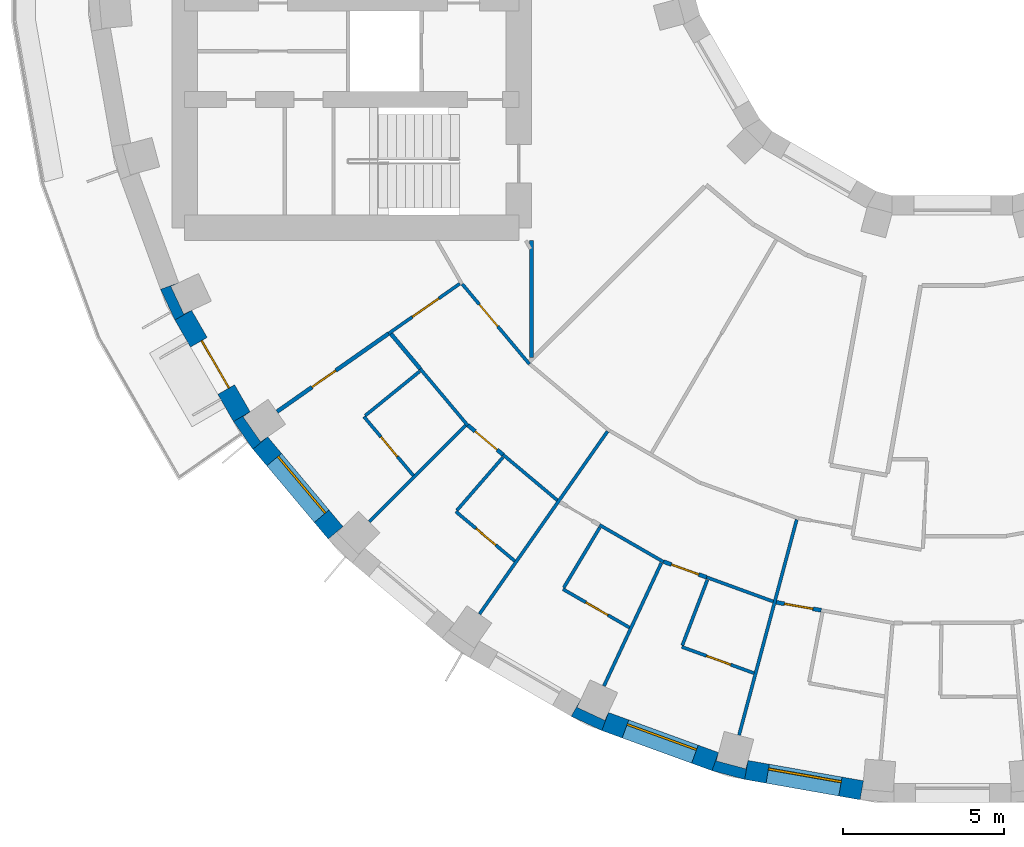
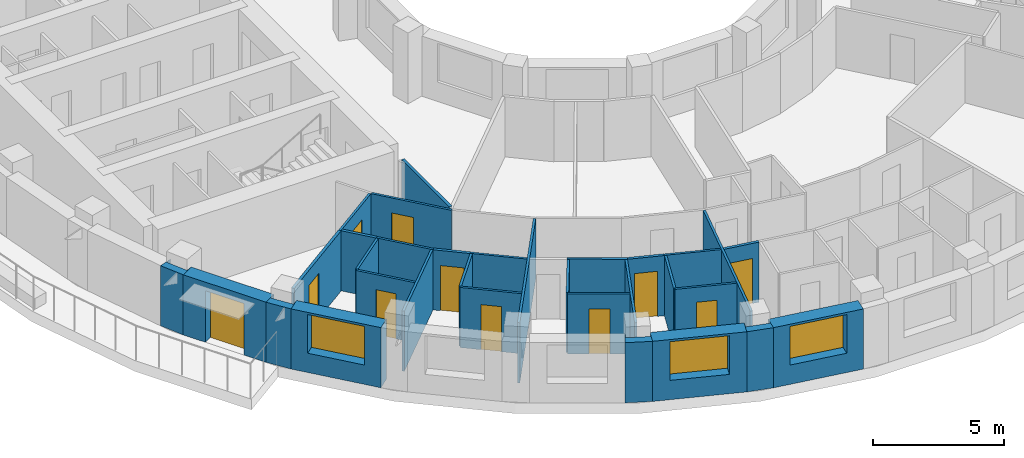
# One storey, part 2 of 13: 32 walls, 11 doors, 3 windows, 14 openings.
"""IFC4 building model written with IfcOpenShell, lengths in metres."""

from ifc_helpers import new_model, si_unit, direction, frame, frame_2d, origin, place, context, subcontext, project, spatial, polyline, rectangle, outline, extrude, material, layer, layer_set, type_object, element, fill, save


model = new_model("IFC4")

# Units and contexts
model_context = context("Model", 3, precision=1e-05, world=origin(), true_north=direction((0.0, 1.0)))
body_context = subcontext(model_context, "Body", "Model", "MODEL_VIEW")
ifc_project = project(units=[si_unit("LENGTHUNIT", "METRE"), si_unit("AREAUNIT", "SQUARE_METRE"), si_unit("VOLUMEUNIT", "CUBIC_METRE"), si_unit("PLANEANGLEUNIT", "RADIAN"), si_unit("MASSUNIT", "GRAM", prefix="KILO")], contexts=[model_context])

# Site, building, storey
site_placement = place(None, origin())
site = spatial("IfcSite", under=ifc_project, at=site_placement, CompositionType="ELEMENT")
building_placement = place(site_placement, origin())
building = spatial("IfcBuilding", under=site, at=building_placement, Name="Saqina Gate Tower", CompositionType="ELEMENT")
storey_placement = place(building_placement, frame((0.0, 0.0, 118.300048828125)))
storey = spatial("IfcBuildingStorey", under=building, at=storey_placement, Name="L33", CompositionType="ELEMENT", Elevation=118.300048828125)

# Walls
ifc_material_1 = material(Name="Brick masonry (buff)", Category="masonry")
wall_type_1 = type_object("IfcWallType", Name="BRICK PIER COPING BUFF", PredefinedType="SOLIDWALL", material=ifc_material_1)
wall_1_placement = place(storey_placement, origin())
element("IfcWall", 1, at=wall_1_placement, inside=storey, type_object=wall_type_1, Name="Pier cap L33 column 21", PredefinedType="SOLIDWALL", context=body_context, shape_type="SweptSolid", body=[
    extrude(outline(polyline([(-24.6513671875, -10.913330078125), (-24.205810546875, -11.869140625), (-23.68603515625, -11.569091796875), (-23.9296875, -11.6826171875), (-24.331298828125, -10.82177734375), (-24.08740234375, -10.7080078125), (-24.6513671875, -10.913330078125)])), origin(), (0.0, 0.0, 1.0), 2.800048828125),
])
wall_2_placement = place(storey_placement, origin())
element("IfcWall", 2, at=wall_2_placement, inside=storey, type_object=wall_type_1, Name="Pier cap L33 column 22", PredefinedType="SOLIDWALL", context=body_context, shape_type="SweptSolid", body=[
    extrude(outline(polyline([(-21.77685546875, -15.89208984375), (-21.317138671875, -15.50634765625), (-21.53759765625, -15.66064453125), (-22.08251953125, -14.88232421875), (-21.862060546875, -14.728271484375), (-22.3818359375, -15.0283203125), (-21.77685546875, -15.89208984375)])), origin(), (0.0, 0.0, 1.0), 2.800048828125),
])
wall_3_placement = place(storey_placement, origin())
element("IfcWall", 3, at=wall_3_placement, inside=storey, type_object=wall_type_1, Name="Pier cap L33 column 25", PredefinedType="SOLIDWALL", context=body_context, shape_type="SweptSolid", body=[
    extrude(outline(polyline([(-10.913330078125, -24.6513671875), (-10.7080078125, -24.08740234375), (-10.82177734375, -24.331298828125), (-11.6826171875, -23.9296875), (-11.569091796875, -23.68603515625), (-11.869140625, -24.205810546875), (-10.913330078125, -24.6513671875)])), origin(), (0.0, 0.0, 1.0), 2.800048828125),
])
wall_4_placement = place(storey_placement, origin())
element("IfcWall", 4, at=wall_4_placement, inside=storey, type_object=wall_type_1, Name="Pier cap L33 column 26", PredefinedType="SOLIDWALL", context=body_context, shape_type="SweptSolid", body=[
    extrude(outline(polyline([(-7.485595703125, -25.89892578125), (-6.466796875, -26.171875), (-6.36279296875, -25.5810546875), (-6.43212890625, -25.8408203125), (-7.349853515625, -25.5947265625), (-7.2802734375, -25.335205078125), (-7.485595703125, -25.89892578125)])), origin(), (0.0, 0.0, 1.0), 2.800048828125),
])

# Wall, opening, door
ifc_material_2 = material(Name="Brick masonry (buff)", Category="masonry")
ifc_layer_1 = layer(ifc_material_2, 0.60009765625)
ifc_layer_set_1 = layer_set([ifc_layer_1], Name="FW-BRICK-BUFF")
wall_type_2 = type_object("IfcWallType", Name="FW-BRICK-BUFF", PredefinedType="SOLIDWALL", material=ifc_layer_set_1)
wall_5_placement = place(storey_placement, frame((-23.94580078125, -11.718994140625, 0.0), z_axis=(0.0, 0.0, 1.0), x_axis=(0.499954196102, -0.866051847062, 0.0)))
wall_5 = element("IfcWall", 5, at=wall_5_placement, inside=storey, type_object=wall_type_2, Name="Facade wall L33 facet 21", PredefinedType="SOLIDWALL", context=body_context, shape_type="SweptSolid", body=[
    extrude(rectangle(XDim=3.647705078125, YDim=0.60009765625, at=frame_2d((1.82373046875, 0.0))), origin(), (0.0, 0.0, 1.0), 2.800048828125),
])
opening_1_placement = place(wall_5_placement, frame((0.973876953125, 0.0, 0.0)))
opening_1 = element("IfcOpeningElement", 6, at=opening_1_placement, cuts=wall_5, Name="Opening G09-D80", PredefinedType="OPENING", context=body_context, shape_type="SweptSolid", body=[
    extrude(rectangle(XDim=1.699951171875, YDim=2.39990234375, at=frame_2d((0.85009765625, 1.199951171875))), frame((0.0, 0.31201171875, 0.0), z_axis=(0.0, -1.0, 0.0), x_axis=(1.0, 0.0, 0.0)), (0.0, 0.0, 1.0), 0.6240234375),
])
ifc_material_3 = material(Name="Aluminium glazing", Category="aluminium")
door_type_1 = type_object("IfcDoorType", Name="GD-B", OperationType="DOUBLE_DOOR_SINGLE_SWING", PredefinedType="DOOR", material=ifc_material_3)
door_1_placement = place(opening_1_placement, frame((1.699951171875, 0.0, 0.0), z_axis=(0.0, 0.0, 1.0), x_axis=(-1.0, 0.0, 0.0)))
door_1 = element("IfcDoor", 7, at=door_1_placement, inside=storey, type_object=door_type_1, Name="Terrace door L33 facet 21", OperationType="DOUBLE_DOOR_SINGLE_SWING", OverallHeight=2.39990234375, OverallWidth=1.699951171875, PredefinedType="DOOR", context=body_context, shape_type="SweptSolid", body=[
    extrude(rectangle(XDim=1.699951171875, YDim=2.39990234375, at=frame_2d((0.85009765625, 1.199951171875))), frame((0.0, -0.0751953125, 0.0), z_axis=(0.0, -1.0, 0.0), x_axis=(1.0, 0.0, 0.0)), (0.0, 0.0, 1.0), 0.050048828125),
])
fill(opening_1, door_1)

# Wall, opening, window
wall_6_placement = place(storey_placement, frame((-21.547119140625, -15.69921875, 0.0), z_axis=(0.0, 0.0, 1.0), x_axis=(0.642774476932, -0.766055462616, 0.0)))
wall_6 = element("IfcWall", 8, at=wall_6_placement, inside=storey, type_object=wall_type_2, Name="Facade wall L33 facet 22", PredefinedType="SOLIDWALL", context=body_context, shape_type="SweptSolid", body=[
    extrude(rectangle(XDim=3.647705078125, YDim=0.60009765625, at=frame_2d((1.82373046875, 0.0))), origin(), (0.0, 0.0, 1.0), 2.800048828125),
])
opening_2_placement = place(wall_6_placement, frame((0.673828125, 0.0, 0.89990234375)))
opening_2 = element("IfcOpeningElement", 9, at=opening_2_placement, cuts=wall_6, Name="Opening G09-W14", PredefinedType="OPENING", context=body_context, shape_type="SweptSolid", body=[
    extrude(rectangle(XDim=2.300048828125, YDim=1.800048828125, at=frame_2d((1.14990234375, 0.89990234375))), frame((0.0, 0.31201171875, 0.0), z_axis=(0.0, -1.0, 0.0), x_axis=(1.0, 0.0, 0.0)), (0.0, 0.0, 1.0), 0.6240234375),
])
ifc_material_4 = material(Name="Aluminium glazing", Category="aluminium")
window_type = type_object("IfcWindowType", Name="WN-B", PartitioningType="SINGLE_PANEL", PredefinedType="WINDOW", material=ifc_material_4)
window_1_placement = place(opening_2_placement, origin())
window_1 = element("IfcWindow", 10, at=window_1_placement, inside=storey, type_object=window_type, Name="Window L33 facet 22", OverallHeight=1.800048828125, OverallWidth=2.300048828125, PartitioningType="SINGLE_PANEL", PredefinedType="WINDOW", context=body_context, shape_type="SweptSolid", body=[
    extrude(rectangle(XDim=2.300048828125, YDim=1.800048828125, at=frame_2d((1.14990234375, 0.89990234375))), frame((0.0, 0.179931640625, 0.0), z_axis=(0.0, -1.0, 0.0), x_axis=(1.0, 0.0, 0.0)), (0.0, 0.0, 1.0), 0.06005859375),
])
fill(opening_2, window_1)

wall_7_placement = place(storey_placement, frame((-10.810791015625, -24.369384765625, 0.0), z_axis=(0.0, 0.0, 1.0), x_axis=(0.939703505393, -0.341990236633, 0.0)))
wall_7 = element("IfcWall", 11, at=wall_7_placement, inside=storey, type_object=wall_type_2, Name="Facade wall L33 facet 25", PredefinedType="SOLIDWALL", context=body_context, shape_type="SweptSolid", body=[
    extrude(rectangle(XDim=3.64794921875, YDim=0.60009765625, at=frame_2d((1.823974609375, 0.0))), origin(), (0.0, 0.0, 1.0), 2.800048828125),
])
opening_3_placement = place(wall_7_placement, frame((0.673828125, 0.0, 0.89990234375)))
opening_3 = element("IfcOpeningElement", 12, at=opening_3_placement, cuts=wall_7, Name="Opening G09-W17", PredefinedType="OPENING", context=body_context, shape_type="SweptSolid", body=[
    extrude(rectangle(XDim=2.300048828125, YDim=1.800048828125, at=frame_2d((1.14990234375, 0.89990234375))), frame((0.0, 0.31201171875, 0.0), z_axis=(0.0, -1.0, 0.0), x_axis=(1.0, 0.0, 0.0)), (0.0, 0.0, 1.0), 0.6240234375),
])
window_2_placement = place(opening_3_placement, origin())
window_2 = element("IfcWindow", 13, at=window_2_placement, inside=storey, type_object=window_type, Name="Window L33 facet 25", OverallHeight=1.800048828125, OverallWidth=2.300048828125, PartitioningType="SINGLE_PANEL", PredefinedType="WINDOW", context=body_context, shape_type="SweptSolid", body=[
    extrude(rectangle(XDim=2.300048828125, YDim=1.800048828125, at=frame_2d((1.14990234375, 0.89990234375))), frame((0.0, 0.179931640625, 0.0), z_axis=(0.0, -1.0, 0.0), x_axis=(1.0, 0.0, 0.0)), (0.0, 0.0, 1.0), 0.06005859375),
])
fill(opening_3, window_2)

wall_8_placement = place(storey_placement, frame((-6.414794921875, -25.87646484375, 0.0), z_axis=(0.0, 0.0, 1.0), x_axis=(0.984803764455, -0.173670796382, 0.0)))
wall_8 = element("IfcWall", 14, at=wall_8_placement, inside=storey, type_object=wall_type_2, Name="Facade wall L33 facet 26", PredefinedType="SOLIDWALL", context=body_context, shape_type="SweptSolid", body=[
    extrude(rectangle(XDim=3.64794921875, YDim=0.60009765625, at=frame_2d((1.823974609375, 0.0))), origin(), (0.0, 0.0, 1.0), 2.800048828125),
])
opening_4_placement = place(wall_8_placement, frame((0.673828125, 0.0, 0.89990234375)))
opening_4 = element("IfcOpeningElement", 15, at=opening_4_placement, cuts=wall_8, Name="Opening G09-W18", PredefinedType="OPENING", context=body_context, shape_type="SweptSolid", body=[
    extrude(rectangle(XDim=2.300048828125, YDim=1.800048828125, at=frame_2d((1.14990234375, 0.89990234375))), frame((0.0, 0.31201171875, 0.0), z_axis=(0.0, -1.0, 0.0), x_axis=(1.0, 0.0, 0.0)), (0.0, 0.0, 1.0), 0.6240234375),
])
window_3_placement = place(opening_4_placement, origin())
window_3 = element("IfcWindow", 16, at=window_3_placement, inside=storey, type_object=window_type, Name="Window L33 facet 26", OverallHeight=1.800048828125, OverallWidth=2.300048828125, PartitioningType="SINGLE_PANEL", PredefinedType="WINDOW", context=body_context, shape_type="SweptSolid", body=[
    extrude(rectangle(XDim=2.300048828125, YDim=1.800048828125, at=frame_2d((1.14990234375, 0.89990234375))), frame((0.0, 0.179931640625, 0.0), z_axis=(0.0, -1.0, 0.0), x_axis=(1.0, 0.0, 0.0)), (0.0, 0.0, 1.0), 0.06005859375),
])
fill(opening_4, window_3)

# Wall, opening, door
ifc_material_5 = material(Name="Gypsum board on steel studs, 100 mm", Category="steel")
ifc_layer_2 = layer(ifc_material_5, 0.10009765625)
ifc_layer_set_2 = layer_set([ifc_layer_2], Name="PARTITION 100")
wall_type_3 = type_object("IfcWallType", Name="PARTITION 100", PredefinedType="PARTITIONING", material=ifc_layer_set_2)
wall_9_placement = place(storey_placement, frame((-18.320068359375, -14.8779296875, 0.0), z_axis=(0.0, 0.0, 1.0), x_axis=(0.642579420328, -0.766219086535, 0.0)))
wall_9 = element("IfcWall", 17, at=wall_9_placement, inside=storey, type_object=wall_type_3, Name="PARTITION PW3-19", PredefinedType="PARTITIONING", context=body_context, shape_type="SweptSolid", body=[
    extrude(rectangle(XDim=2.393310546875, YDim=0.10009765625, at=frame_2d((1.19677734375, 0.0))), origin(), (0.0, 0.0, 1.0), 2.800048828125),
])
opening_5_placement = place(wall_9_placement, frame((0.821533203125, 0.0, 0.0)))
opening_5 = element("IfcOpeningElement", 18, at=opening_5_placement, cuts=wall_9, Name="Opening G09-D32", PredefinedType="OPENING", context=body_context, shape_type="SweptSolid", body=[
    extrude(rectangle(XDim=0.800048828125, YDim=2.10009765625, at=frame_2d((0.39990234375, 1.050048828125))), frame((0.0, 0.06201171875, 0.0), z_axis=(0.0, -1.0, 0.0), x_axis=(1.0, 0.0, 0.0)), (0.0, 0.0, 1.0), 0.1240234375),
])
ifc_material_6 = material(Name="Timber door leaf, 800 mm", Category="wood")
door_type_2 = type_object("IfcDoorType", Name="DOOR 800 TIMBER", OperationType="SINGLE_SWING_LEFT", PredefinedType="DOOR", material=ifc_material_6)
door_2_placement = place(opening_5_placement, frame((0.800048828125, 0.0, 0.0), z_axis=(0.0, 0.0, 1.0), x_axis=(-1.0, 0.0, 0.0)))
door_2 = element("IfcDoor", 19, at=door_2_placement, inside=storey, type_object=door_type_2, Name="DOOR G09-D32", OperationType="SINGLE_SWING_LEFT", OverallHeight=2.10009765625, OverallWidth=0.800048828125, PredefinedType="DOOR", context=body_context, shape_type="SweptSolid", body=[
    extrude(rectangle(XDim=0.800048828125, YDim=2.10009765625, at=frame_2d((0.39990234375, 1.050048828125))), frame((0.0, 0.02490234375, 0.0), z_axis=(0.0, -1.0, 0.0), x_axis=(1.0, 0.0, 0.0)), (0.0, 0.0, 1.0), 0.050048828125),
])
fill(opening_5, door_2)

# Wall
wall_10_placement = place(storey_placement, frame((-16.566162109375, -13.3896484375, 0.0), z_axis=(0.0, 0.0, 1.0), x_axis=(0.642674527844, -0.76613931583, 0.0)))
element("IfcWall", 20, at=wall_10_placement, inside=storey, type_object=wall_type_3, Name="PARTITION PW3-20", PredefinedType="PARTITIONING", context=body_context, shape_type="SweptSolid", body=[
    extrude(rectangle(XDim=2.3017578125, YDim=0.10009765625, at=frame_2d((1.15087890625, 0.0))), origin(), (0.0, 0.0, 1.0), 2.800048828125),
])

# Wall, opening, door
wall_11_placement = place(storey_placement, frame((-15.261962890625, -10.747314453125, 0.0), z_axis=(0.0, 0.0, 1.0), x_axis=(0.642806814248, -0.766028328168, 0.0)))
wall_11 = element("IfcWall", 21, at=wall_11_placement, inside=storey, type_object=wall_type_3, Name="PARTITION PW3-21", PredefinedType="PARTITIONING", context=body_context, shape_type="SweptSolid", body=[
    extrude(rectangle(XDim=3.25537109375, YDim=0.10009765625, at=frame_2d((1.627685546875, 0.0))), origin(), (0.0, 0.0, 1.0), 2.800048828125),
])
opening_6_placement = place(wall_11_placement, frame((0.8271484375, 0.0, 0.0)))
opening_6 = element("IfcOpeningElement", 22, at=opening_6_placement, cuts=wall_11, Name="Opening G09-D31", PredefinedType="OPENING", context=body_context, shape_type="SweptSolid", body=[
    extrude(rectangle(XDim=0.89990234375, YDim=2.10009765625, at=frame_2d((0.449951171875, 1.050048828125))), frame((0.0, 0.06201171875, 0.0), z_axis=(0.0, -1.0, 0.0), x_axis=(1.0, 0.0, 0.0)), (0.0, 0.0, 1.0), 0.1240234375),
])
ifc_material_7 = material(Name="Timber door leaf, 900 mm", Category="wood")
door_type_3 = type_object("IfcDoorType", Name="DOOR 900 TIMBER", OperationType="SINGLE_SWING_LEFT", PredefinedType="DOOR", material=ifc_material_7)
door_3_placement = place(opening_6_placement, origin())
door_3 = element("IfcDoor", 23, at=door_3_placement, inside=storey, type_object=door_type_3, Name="DOOR G09-D31", OperationType="SINGLE_SWING_RIGHT", OverallHeight=2.10009765625, OverallWidth=0.89990234375, PredefinedType="DOOR", context=body_context, shape_type="SweptSolid", body=[
    extrude(rectangle(XDim=0.89990234375, YDim=2.10009765625, at=frame_2d((0.449951171875, 1.050048828125))), frame((0.0, 0.02490234375, 0.0), z_axis=(0.0, -1.0, 0.0), x_axis=(1.0, 0.0, 0.0)), (0.0, 0.0, 1.0), 0.050048828125),
])
fill(opening_6, door_3)

wall_12_placement = place(storey_placement, frame((-15.4580078125, -17.8330078125, 0.0), z_axis=(0.0, 0.0, 1.0), x_axis=(0.765849546445, -0.643019807012, 0.0)))
wall_12 = element("IfcWall", 24, at=wall_12_placement, inside=storey, type_object=wall_type_3, Name="PARTITION PW3-24", PredefinedType="PARTITIONING", context=body_context, shape_type="SweptSolid", body=[
    extrude(rectangle(XDim=2.39306640625, YDim=0.10009765625, at=frame_2d((1.196533203125, 0.0))), origin(), (0.0, 0.0, 1.0), 2.800048828125),
])
opening_7_placement = place(wall_12_placement, frame((0.821533203125, 0.0, 0.0)))
opening_7 = element("IfcOpeningElement", 25, at=opening_7_placement, cuts=wall_12, Name="Opening G09-D34", PredefinedType="OPENING", context=body_context, shape_type="SweptSolid", body=[
    extrude(rectangle(XDim=0.800048828125, YDim=2.10009765625, at=frame_2d((0.39990234375, 1.050048828125))), frame((0.0, 0.06201171875, 0.0), z_axis=(0.0, -1.0, 0.0), x_axis=(1.0, 0.0, 0.0)), (0.0, 0.0, 1.0), 0.1240234375),
])
door_4_placement = place(opening_7_placement, frame((0.800048828125, 0.0, 0.0), z_axis=(0.0, 0.0, 1.0), x_axis=(-1.0, 0.0, 0.0)))
door_4 = element("IfcDoor", 26, at=door_4_placement, inside=storey, type_object=door_type_2, Name="DOOR G09-D34", OperationType="SINGLE_SWING_LEFT", OverallHeight=2.10009765625, OverallWidth=0.800048828125, PredefinedType="DOOR", context=body_context, shape_type="SweptSolid", body=[
    extrude(rectangle(XDim=0.800048828125, YDim=2.10009765625, at=frame_2d((0.39990234375, 1.050048828125))), frame((0.0, 0.02490234375, 0.0), z_axis=(0.0, -1.0, 0.0), x_axis=(1.0, 0.0, 0.0)), (0.0, 0.0, 1.0), 0.050048828125),
])
fill(opening_7, door_4)

# Wall
wall_13_placement = place(storey_placement, frame((-13.9892578125, -16.062744140625, 0.0), z_axis=(0.0, 0.0, 1.0), x_axis=(0.766038513467, -0.642794676305, 0.0)))
element("IfcWall", 27, at=wall_13_placement, inside=storey, type_object=wall_type_3, Name="PARTITION PW3-25", PredefinedType="PARTITIONING", context=body_context, shape_type="SweptSolid", body=[
    extrude(rectangle(XDim=2.204833984375, YDim=0.10009765625, at=frame_2d((1.1025390625, 0.0))), origin(), (0.0, 0.0, 1.0), 2.800048828125),
])

# Wall, opening, door
wall_14_placement = place(storey_placement, frame((-12.1259765625, -20.2470703125, 0.0), z_axis=(0.0, 0.0, 1.0), x_axis=(0.866042831623, -0.499969812883, 0.0)))
wall_14 = element("IfcWall", 28, at=wall_14_placement, inside=storey, type_object=wall_type_3, Name="PARTITION PW3-31", PredefinedType="PARTITIONING", context=body_context, shape_type="SweptSolid", body=[
    extrude(rectangle(XDim=2.392333984375, YDim=0.10009765625, at=frame_2d((1.1962890625, 0.0))), origin(), (0.0, 0.0, 1.0), 2.800048828125),
])
opening_8_placement = place(wall_14_placement, frame((0.821044921875, 0.0, 0.0)))
opening_8 = element("IfcOpeningElement", 29, at=opening_8_placement, cuts=wall_14, Name="Opening G09-D37", PredefinedType="OPENING", context=body_context, shape_type="SweptSolid", body=[
    extrude(rectangle(XDim=0.800048828125, YDim=2.10009765625, at=frame_2d((0.39990234375, 1.050048828125))), frame((0.0, 0.06201171875, 0.0), z_axis=(0.0, -1.0, 0.0), x_axis=(1.0, 0.0, 0.0)), (0.0, 0.0, 1.0), 0.1240234375),
])
door_5_placement = place(opening_8_placement, frame((0.800048828125, 0.0, 0.0), z_axis=(0.0, 0.0, 1.0), x_axis=(-1.0, 0.0, 0.0)))
door_5 = element("IfcDoor", 30, at=door_5_placement, inside=storey, type_object=door_type_2, Name="DOOR G09-D37", OperationType="SINGLE_SWING_LEFT", OverallHeight=2.10009765625, OverallWidth=0.800048828125, PredefinedType="DOOR", context=body_context, shape_type="SweptSolid", body=[
    extrude(rectangle(XDim=0.800048828125, YDim=2.10009765625, at=frame_2d((0.39990234375, 1.050048828125))), frame((0.0, 0.02490234375, 0.0), z_axis=(0.0, -1.0, 0.0), x_axis=(1.0, 0.0, 0.0)), (0.0, 0.0, 1.0), 0.050048828125),
])
fill(opening_8, door_5)

# Walls
wall_15_placement = place(storey_placement, frame((-10.9873046875, -18.248046875, 0.0), z_axis=(0.0, 0.0, 1.0), x_axis=(0.865887497708, -0.500238784294, 0.0)))
element("IfcWall", 31, at=wall_15_placement, inside=storey, type_object=wall_type_3, Name="PARTITION PW3-32", PredefinedType="PARTITIONING", context=body_context, shape_type="SweptSolid", body=[
    extrude(rectangle(XDim=2.305419921875, YDim=0.10009765625, at=frame_2d((1.15283203125, 0.0))), origin(), (0.0, 0.0, 1.0), 2.800048828125),
])
wall_16_placement = place(storey_placement, frame((-7.6513671875, -19.877197265625, 0.0), z_axis=(0.0, 0.0, 1.0), x_axis=(0.939404870565, -0.342809698169, 0.0)))
element("IfcWall", 32, at=wall_16_placement, inside=storey, type_object=wall_type_3, Name="PARTITION PW3-38", PredefinedType="PARTITIONING", context=body_context, shape_type="SweptSolid", body=[
    extrude(rectangle(XDim=2.204833984375, YDim=0.10009765625, at=frame_2d((1.1025390625, 0.0))), origin(), (0.0, 0.0, 1.0), 2.800048828125),
])

# Wall, opening, door
wall_17_placement = place(storey_placement, frame((-8.426025390625, -22.044921875, 0.0), z_axis=(0.0, 0.0, 1.0), x_axis=(0.93973977618, -0.341890557146, 0.0)))
wall_17 = element("IfcWall", 33, at=wall_17_placement, inside=storey, type_object=wall_type_3, Name="PARTITION PW3-39", PredefinedType="PARTITIONING", context=body_context, shape_type="SweptSolid", body=[
    extrude(rectangle(XDim=2.39208984375, YDim=0.10009765625, at=frame_2d((1.196044921875, 0.0))), origin(), (0.0, 0.0, 1.0), 2.800048828125),
])
opening_9_placement = place(wall_17_placement, frame((0.821044921875, 0.0, 0.0)))
opening_9 = element("IfcOpeningElement", 34, at=opening_9_placement, cuts=wall_17, Name="Opening G09-D40", PredefinedType="OPENING", context=body_context, shape_type="SweptSolid", body=[
    extrude(rectangle(XDim=0.800048828125, YDim=2.10009765625, at=frame_2d((0.39990234375, 1.050048828125))), frame((0.0, 0.06201171875, 0.0), z_axis=(0.0, -1.0, 0.0), x_axis=(1.0, 0.0, 0.0)), (0.0, 0.0, 1.0), 0.1240234375),
])
door_6_placement = place(opening_9_placement, frame((0.800048828125, 0.0, 0.0), z_axis=(0.0, 0.0, 1.0), x_axis=(-1.0, 0.0, 0.0)))
door_6 = element("IfcDoor", 35, at=door_6_placement, inside=storey, type_object=door_type_2, Name="DOOR G09-D40", OperationType="SINGLE_SWING_LEFT", OverallHeight=2.10009765625, OverallWidth=0.800048828125, PredefinedType="DOOR", context=body_context, shape_type="SweptSolid", body=[
    extrude(rectangle(XDim=0.800048828125, YDim=2.10009765625, at=frame_2d((0.39990234375, 1.050048828125))), frame((0.0, 0.02490234375, 0.0), z_axis=(0.0, -1.0, 0.0), x_axis=(1.0, 0.0, 0.0)), (0.0, 0.0, 1.0), 0.050048828125),
])
fill(opening_9, door_6)

wall_18_placement = place(storey_placement, frame((-17.552978515625, -12.290771484375, 0.0), z_axis=(0.0, 0.0, 1.0), x_axis=(0.819126011037, 0.573613613893, 0.0)))
wall_18 = element("IfcWall", 36, at=wall_18_placement, inside=storey, type_object=wall_type_3, Name="PARTITION PW3-72", PredefinedType="PARTITIONING", context=body_context, shape_type="SweptSolid", body=[
    extrude(rectangle(XDim=2.707763671875, YDim=0.10009765625, at=frame_2d((1.35400390625, 0.0))), origin(), (0.0, 0.0, 1.0), 2.800048828125),
])
opening_10_placement = place(wall_18_placement, frame((0.90380859375, 0.0, 0.0)))
opening_10 = element("IfcOpeningElement", 37, at=opening_10_placement, cuts=wall_18, Name="Opening G09-D29", PredefinedType="OPENING", context=body_context, shape_type="SweptSolid", body=[
    extrude(rectangle(XDim=1.0, YDim=2.10009765625, at=frame_2d((0.5, 1.050048828125))), frame((0.0, 0.06201171875, 0.0), z_axis=(0.0, -1.0, 0.0), x_axis=(1.0, 0.0, 0.0)), (0.0, 0.0, 1.0), 0.1240234375),
])
ifc_material_8 = material(Name="Timber door leaf, 1000 mm", Category="wood")
door_type_4 = type_object("IfcDoorType", Name="DOOR 1000 TIMBER", OperationType="SINGLE_SWING_LEFT", PredefinedType="DOOR", material=ifc_material_8)
door_7_placement = place(opening_10_placement, origin())
door_7 = element("IfcDoor", 38, at=door_7_placement, inside=storey, type_object=door_type_4, Name="DOOR G09-D29", OperationType="SINGLE_SWING_RIGHT", OverallHeight=2.10009765625, OverallWidth=1.0, PredefinedType="DOOR", context=body_context, shape_type="SweptSolid", body=[
    extrude(rectangle(XDim=1.0, YDim=2.10009765625, at=frame_2d((0.5, 1.050048828125))), frame((0.0, 0.02490234375, 0.0), z_axis=(0.0, -1.0, 0.0), x_axis=(1.0, 0.0, 0.0)), (0.0, 0.0, 1.0), 0.050048828125),
])
fill(opening_10, door_7)

# Walls
wall_19_placement = place(storey_placement, frame((-18.28125, -14.846435546875, 0.0), z_axis=(0.0, 0.0, 1.0), x_axis=(0.77635285049, 0.630298541595, 0.0)))
element("IfcWall", 39, at=wall_19_placement, inside=storey, type_object=wall_type_3, Name="PARTITION PW3-73", PredefinedType="PARTITIONING", context=body_context, shape_type="SweptSolid", body=[
    extrude(rectangle(XDim=2.18798828125, YDim=0.10009765625, at=frame_2d((1.093994140625, 0.0))), origin(), (0.0, 0.0, 1.0), 2.800048828125),
])
wall_20_placement = place(storey_placement, frame((-18.14794921875, -18.14794921875, 0.0), z_axis=(0.0, 0.0, 1.0), x_axis=(0.707106781187, 0.707106781187, 0.0)))
element("IfcWall", 40, at=wall_20_placement, inside=storey, type_object=wall_type_3, Name="PARTITION PW3-77", PredefinedType="PARTITIONING", context=body_context, shape_type="SweptSolid", body=[
    extrude(rectangle(XDim=4.236328125, YDim=0.10009765625, at=frame_2d((2.1181640625, 0.0))), origin(), (0.0, 0.0, 1.0), 2.800048828125),
])
wall_21_placement = place(storey_placement, frame((-15.42529296875, -17.795166015625, 0.0), z_axis=(0.0, 0.0, 1.0), x_axis=(0.65516417325, 0.755486536008, 0.0)))
element("IfcWall", 41, at=wall_21_placement, inside=storey, type_object=wall_type_3, Name="PARTITION PW3-79", PredefinedType="PARTITIONING", context=body_context, shape_type="SweptSolid", body=[
    extrude(rectangle(XDim=2.187744140625, YDim=0.10009765625, at=frame_2d((1.09375, 0.0))), origin(), (0.0, 0.0, 1.0), 2.800048828125),
])
wall_22_placement = place(storey_placement, frame((-14.721923828125, -21.02294921875, 0.0), z_axis=(0.0, 0.0, 1.0), x_axis=(0.573811489918, 0.818987407741, 0.0)))
element("IfcWall", 42, at=wall_22_placement, inside=storey, type_object=wall_type_3, Name="PARTITION PW3-83", PredefinedType="PARTITIONING", context=body_context, shape_type="SweptSolid", body=[
    extrude(rectangle(XDim=6.944580078125, YDim=0.10009765625, at=frame_2d((3.47216796875, 0.0))), origin(), (0.0, 0.0, 1.0), 2.800048828125),
])
wall_23_placement = place(storey_placement, frame((-12.100341796875, -20.2041015625, 0.0), z_axis=(0.0, 0.0, 1.0), x_axis=(0.513757266297, 0.857935586933, 0.0)))
element("IfcWall", 43, at=wall_23_placement, inside=storey, type_object=wall_type_3, Name="PARTITION PW3-85", PredefinedType="PARTITIONING", context=body_context, shape_type="SweptSolid", body=[
    extrude(rectangle(XDim=2.188232421875, YDim=0.10009765625, at=frame_2d((1.09423828125, 0.0))), origin(), (0.0, 0.0, 1.0), 2.800048828125),
])
wall_24_placement = place(storey_placement, frame((-10.847412109375, -23.260009765625, 0.0), z_axis=(0.0, 0.0, 1.0), x_axis=(0.422841161976, 0.906203813575, 0.0)))
element("IfcWall", 44, at=wall_24_placement, inside=storey, type_object=wall_type_3, Name="PARTITION PW3-93", PredefinedType="PARTITIONING", context=body_context, shape_type="SweptSolid", body=[
    extrude(rectangle(XDim=4.2236328125, YDim=0.10009765625, at=frame_2d((2.11181640625, 0.0))), origin(), (0.0, 0.0, 1.0), 2.800048828125),
])
wall_25_placement = place(storey_placement, frame((-8.408203125, -21.998291015625, 0.0), z_axis=(0.0, 0.0, 1.0), x_axis=(0.356937039246, 0.934128444067, 0.0)))
element("IfcWall", 45, at=wall_25_placement, inside=storey, type_object=wall_type_3, Name="PARTITION PW3-96", PredefinedType="PARTITIONING", context=body_context, shape_type="SweptSolid", body=[
    extrude(rectangle(XDim=2.18798828125, YDim=0.10009765625, at=frame_2d((1.093994140625, 0.0))), origin(), (0.0, 0.0, 1.0), 2.800048828125),
])
wall_26_placement = place(storey_placement, frame((-6.641845703125, -24.790771484375, 0.0), z_axis=(0.0, 0.0, 1.0), x_axis=(0.258515851323, 0.966007015821, 0.0)))
element("IfcWall", 46, at=wall_26_placement, inside=storey, type_object=wall_type_3, Name="PARTITION PW3-98", PredefinedType="PARTITIONING", context=body_context, shape_type="SweptSolid", body=[
    extrude(rectangle(XDim=6.945068359375, YDim=0.10009765625, at=frame_2d((3.47265625, 0.0))), origin(), (0.0, 0.0, 1.0), 2.800048828125),
])
ifc_material_9 = material(Name="Gypsum board on steel studs, 125 mm, fire rated", Category="steel")
ifc_layer_3 = layer(ifc_material_9, 0.125)
ifc_layer_set_3 = layer_set([ifc_layer_3], Name="PARTITION EI 30 125")
wall_type_4 = type_object("IfcWallType", Name="PARTITION EI 30 125", PredefinedType="PARTITIONING", material=ifc_layer_set_3)
wall_27_placement = place(storey_placement, frame((-17.479736328125, -12.30029296875, 0.0), z_axis=(0.0, 0.0, 1.0), x_axis=(0.642579742467, -0.766218816378, 0.0)))
element("IfcWall", 47, at=wall_27_placement, inside=storey, type_object=wall_type_4, Name="PARTITION PW1-03", PredefinedType="PARTITIONING", context=body_context, shape_type="SweptSolid", body=[
    extrude(rectangle(XDim=1.421630859375, YDim=0.125, at=frame_2d((0.7109375, 0.0))), origin(), (0.0, 0.0, 1.0), 2.800048828125),
])

# Wall, opening, door
wall_28_placement = place(storey_placement, frame((-15.08154296875, -15.146728515625, 0.0), z_axis=(0.0, 0.0, 1.0), x_axis=(0.766139864475, -0.642673873798, 0.0)))
wall_28 = element("IfcWall", 48, at=wall_28_placement, inside=storey, type_object=wall_type_4, Name="PARTITION PW1-08", PredefinedType="PARTITIONING", context=body_context, shape_type="SweptSolid", body=[
    extrude(rectangle(XDim=1.42578125, YDim=0.125, at=frame_2d((0.712890625, 0.0))), origin(), (0.0, 0.0, 1.0), 2.800048828125),
])
opening_11_placement = place(wall_28_placement, frame((0.28759765625, 0.0, 0.0)))
opening_11 = element("IfcOpeningElement", 49, at=opening_11_placement, cuts=wall_28, Name="Opening G09-D33", PredefinedType="OPENING", context=body_context, shape_type="SweptSolid", body=[
    extrude(rectangle(XDim=0.89990234375, YDim=2.10009765625, at=frame_2d((0.449951171875, 1.050048828125))), frame((0.0, 0.074462890625, 0.0), z_axis=(0.0, -1.0, 0.0), x_axis=(1.0, 0.0, 0.0)), (0.0, 0.0, 1.0), 0.14892578125),
])
ifc_material_10 = material(Name="Fire door leaf EI 30, 900 mm")
door_type_5 = type_object("IfcDoorType", Name="DOOR 900 EI 30", OperationType="SINGLE_SWING_LEFT", PredefinedType="DOOR", material=ifc_material_10)
door_8_placement = place(opening_11_placement, origin())
door_8 = element("IfcDoor", 50, at=door_8_placement, inside=storey, type_object=door_type_5, Name="DOOR G09-D33", OperationType="SINGLE_SWING_LEFT", OverallHeight=2.10009765625, OverallWidth=0.89990234375, PredefinedType="DOOR", context=body_context, shape_type="SweptSolid", body=[
    extrude(rectangle(XDim=0.89990234375, YDim=2.10009765625, at=frame_2d((0.449951171875, 1.050048828125))), frame((0.0, 0.02490234375, 0.0), z_axis=(0.0, -1.0, 0.0), x_axis=(1.0, 0.0, 0.0)), (0.0, 0.0, 1.0), 0.050048828125),
])
fill(opening_11, door_8)

wall_29_placement = place(storey_placement, frame((-8.988037109375, -19.39306640625, 0.0), z_axis=(0.0, 0.0, 1.0), x_axis=(0.939783394235, -0.341770642275, 0.0)))
wall_29 = element("IfcWall", 51, at=wall_29_placement, inside=storey, type_object=wall_type_4, Name="PARTITION PW1-15", PredefinedType="PARTITIONING", context=body_context, shape_type="SweptSolid", body=[
    extrude(rectangle(XDim=1.421630859375, YDim=0.125, at=frame_2d((0.7109375, 0.0))), origin(), (0.0, 0.0, 1.0), 2.800048828125),
])
opening_12_placement = place(wall_29_placement, frame((0.2607421875, 0.0, 0.0)))
opening_12 = element("IfcOpeningElement", 52, at=opening_12_placement, cuts=wall_29, Name="Opening G09-D38", PredefinedType="OPENING", context=body_context, shape_type="SweptSolid", body=[
    extrude(rectangle(XDim=0.89990234375, YDim=2.10009765625, at=frame_2d((0.449951171875, 1.050048828125))), frame((0.0, 0.074462890625, 0.0), z_axis=(0.0, -1.0, 0.0), x_axis=(1.0, 0.0, 0.0)), (0.0, 0.0, 1.0), 0.14892578125),
])
door_9_placement = place(opening_12_placement, origin())
door_9 = element("IfcDoor", 53, at=door_9_placement, inside=storey, type_object=door_type_5, Name="DOOR G09-D38", OperationType="SINGLE_SWING_LEFT", OverallHeight=2.10009765625, OverallWidth=0.89990234375, PredefinedType="DOOR", context=body_context, shape_type="SweptSolid", body=[
    extrude(rectangle(XDim=0.89990234375, YDim=2.10009765625, at=frame_2d((0.449951171875, 1.050048828125))), frame((0.0, 0.02490234375, 0.0), z_axis=(0.0, -1.0, 0.0), x_axis=(1.0, 0.0, 0.0)), (0.0, 0.0, 1.0), 0.050048828125),
])
fill(opening_12, door_9)

wall_30_placement = place(storey_placement, frame((-5.483642578125, -20.65869140625, 0.0), z_axis=(0.0, 0.0, 1.0), x_axis=(0.984828496868, -0.173530492295, 0.0)))
wall_30 = element("IfcWall", 54, at=wall_30_placement, inside=storey, type_object=wall_type_4, Name="PARTITION PW1-19", PredefinedType="PARTITIONING", context=body_context, shape_type="SweptSolid", body=[
    extrude(rectangle(XDim=1.4208984375, YDim=0.125, at=frame_2d((0.71044921875, 0.0))), origin(), (0.0, 0.0, 1.0), 2.800048828125),
])
opening_13_placement = place(wall_30_placement, frame((0.260498046875, 0.0, 0.0)))
opening_13 = element("IfcOpeningElement", 55, at=opening_13_placement, cuts=wall_30, Name="Opening G09-D41", PredefinedType="OPENING", context=body_context, shape_type="SweptSolid", body=[
    extrude(rectangle(XDim=0.89990234375, YDim=2.10009765625, at=frame_2d((0.449951171875, 1.050048828125))), frame((0.0, 0.074462890625, 0.0), z_axis=(0.0, -1.0, 0.0), x_axis=(1.0, 0.0, 0.0)), (0.0, 0.0, 1.0), 0.14892578125),
])
door_10_placement = place(opening_13_placement, origin())
door_10 = element("IfcDoor", 56, at=door_10_placement, inside=storey, type_object=door_type_5, Name="DOOR G09-D41", OperationType="SINGLE_SWING_LEFT", OverallHeight=2.10009765625, OverallWidth=0.89990234375, PredefinedType="DOOR", context=body_context, shape_type="SweptSolid", body=[
    extrude(rectangle(XDim=0.89990234375, YDim=2.10009765625, at=frame_2d((0.449951171875, 1.050048828125))), frame((0.0, 0.02490234375, 0.0), z_axis=(0.0, -1.0, 0.0), x_axis=(1.0, 0.0, 0.0)), (0.0, 0.0, 1.0), 0.050048828125),
])
fill(opening_13, door_10)

wall_31_placement = place(storey_placement, frame((-21.023681640625, -14.720703125, 0.0), z_axis=(0.0, 0.0, 1.0), x_axis=(0.819183188517, 0.573531955213, 0.0)))
wall_31 = element("IfcWall", 57, at=wall_31_placement, inside=storey, type_object=wall_type_4, Name="PARTITION PW1-37", PredefinedType="PARTITIONING", context=body_context, shape_type="SweptSolid", body=[
    extrude(rectangle(XDim=4.23681640625, YDim=0.125, at=frame_2d((2.118408203125, 0.0))), origin(), (0.0, 0.0, 1.0), 2.800048828125),
])
opening_14_placement = place(wall_31_placement, frame((1.326904296875, 0.0, 0.0)))
opening_14 = element("IfcOpeningElement", 58, at=opening_14_placement, cuts=wall_31, Name="Opening G09-D30", PredefinedType="OPENING", context=body_context, shape_type="SweptSolid", body=[
    extrude(rectangle(XDim=0.89990234375, YDim=2.10009765625, at=frame_2d((0.449951171875, 1.050048828125))), frame((0.0, 0.074462890625, 0.0), z_axis=(0.0, -1.0, 0.0), x_axis=(1.0, 0.0, 0.0)), (0.0, 0.0, 1.0), 0.14892578125),
])
door_11_placement = place(opening_14_placement, origin())
door_11 = element("IfcDoor", 59, at=door_11_placement, inside=storey, type_object=door_type_5, Name="DOOR G09-D30", OperationType="SINGLE_SWING_LEFT", OverallHeight=2.10009765625, OverallWidth=0.89990234375, PredefinedType="DOOR", context=body_context, shape_type="SweptSolid", body=[
    extrude(rectangle(XDim=0.89990234375, YDim=2.10009765625, at=frame_2d((0.449951171875, 1.050048828125))), frame((0.0, 0.02490234375, 0.0), z_axis=(0.0, -1.0, 0.0), x_axis=(1.0, 0.0, 0.0)), (0.0, 0.0, 1.0), 0.050048828125),
])
fill(opening_14, door_11)

# Wall
wall_32_placement = place(storey_placement, frame((-13.10009765625, -13.032470703125, 0.0), z_axis=(0.0, 0.0, 1.0), x_axis=(0.0, 1.0, 0.0)))
element("IfcWall", 60, at=wall_32_placement, inside=storey, type_object=wall_type_4, Name="PARTITION PW1-51", PredefinedType="PARTITIONING", context=body_context, shape_type="SweptSolid", body=[
    extrude(rectangle(XDim=3.632568359375, YDim=0.125, at=frame_2d((1.81640625, 0.0))), origin(), (0.0, 0.0, 1.0), 2.800048828125),
])

save(model, "model.ifc")
